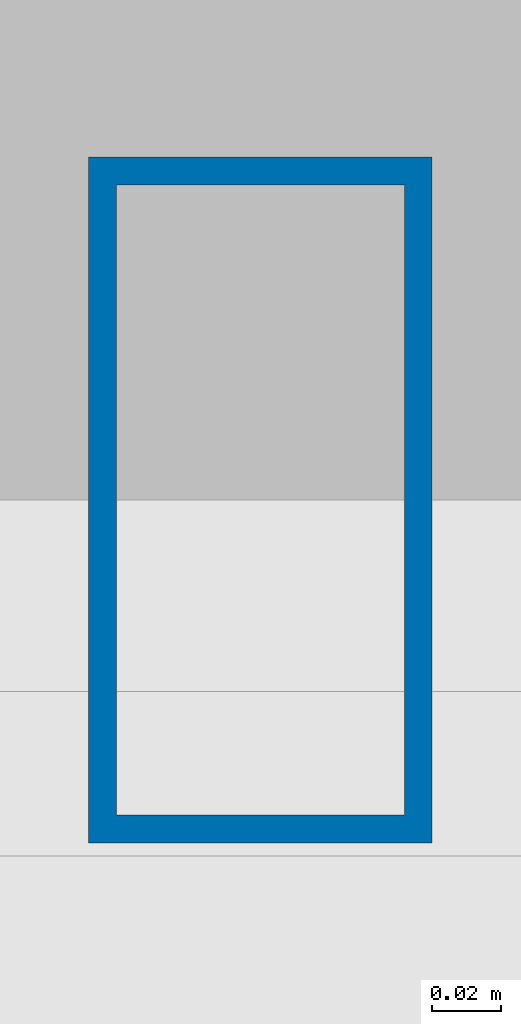
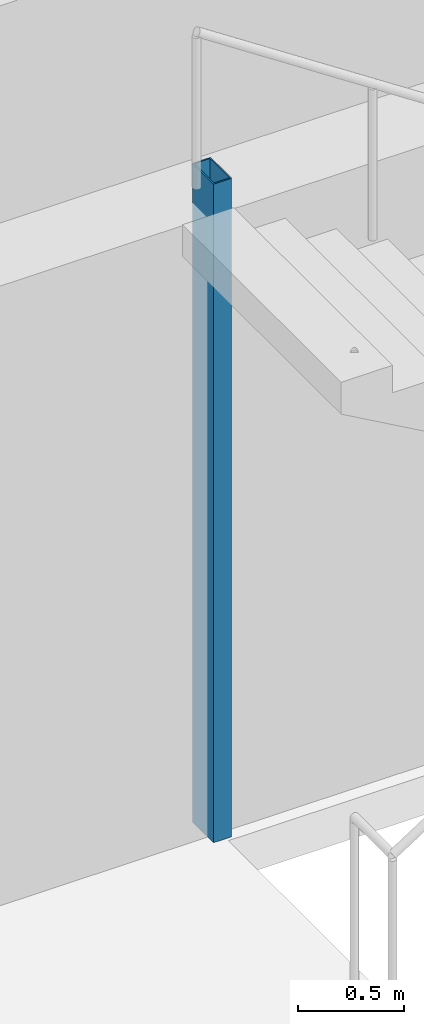
# One storey, part 2 of 17: 1 column.
"""IFC4 building model written with IfcOpenShell, lengths in metres."""

from ifc_helpers import new_model, si_unit, direction, frame, origin, origin_2d, place, context, subcontext, project, spatial, hollow_rectangle, extrude, material, material_profile, profile_set, type_object, element, save


model = new_model("IFC4")

# Units and contexts
model_context = context("Model", 3, precision=1e-05, world=origin(), true_north=direction((0.0, 1.0)))
body_context = subcontext(model_context, "Body", "Model", "MODEL_VIEW")
ifc_project = project(units=[si_unit("LENGTHUNIT", "METRE"), si_unit("AREAUNIT", "SQUARE_METRE"), si_unit("VOLUMEUNIT", "CUBIC_METRE"), si_unit("PLANEANGLEUNIT", "RADIAN"), si_unit("MASSUNIT", "GRAM", prefix="KILO")], contexts=[model_context])

# Site, building, storey
site_placement = place(None, origin())
site = spatial("IfcSite", under=ifc_project, at=site_placement, CompositionType="ELEMENT")
building_placement = place(site_placement, origin())
building = spatial("IfcBuilding", under=site, at=building_placement, Name="Menara Jurai Vektor", CompositionType="ELEMENT")
storey_placement = place(building_placement, frame((0.0, 0.0, 25.60009765625)))
storey = spatial("IfcBuildingStorey", under=building, at=storey_placement, Name="L05", CompositionType="ELEMENT", Elevation=25.60009765625)

# Column
ifc_material = material(Name="Steel S355", Category="steel")
ifc_material_profile = material_profile(ifc_material, hollow_rectangle(XDim=0.10009765625, YDim=0.199951171875, WallThickness=0.008056640625, at=origin_2d()), Name="RHS 200x100x8")
ifc_profile_set = profile_set([ifc_material_profile], Name="Steel S355")
column_type = type_object("IfcColumnType", Name="STR-COL-STAIR", PredefinedType="COLUMN", material=ifc_profile_set)
column_placement = place(storey_placement, frame((-11.1201171875, 5.419921875, 0.0), z_axis=(0.0, 0.0, 1.0), x_axis=(1.0, 0.0, 0.0)))
element("IfcColumn", 1, at=column_placement, inside=storey, type_object=column_type, Name="Stair Well Header Column ST1-P2 L05", PredefinedType="COLUMN", context=body_context, shape_type="SweptSolid", body=[
    extrude(hollow_rectangle(XDim=0.10009765625, YDim=0.199951171875, WallThickness=0.008056640625, at=origin_2d()), origin(), (0.0, 0.0, 1.0), 3.7998046875),
])

save(model, "model.ifc")
